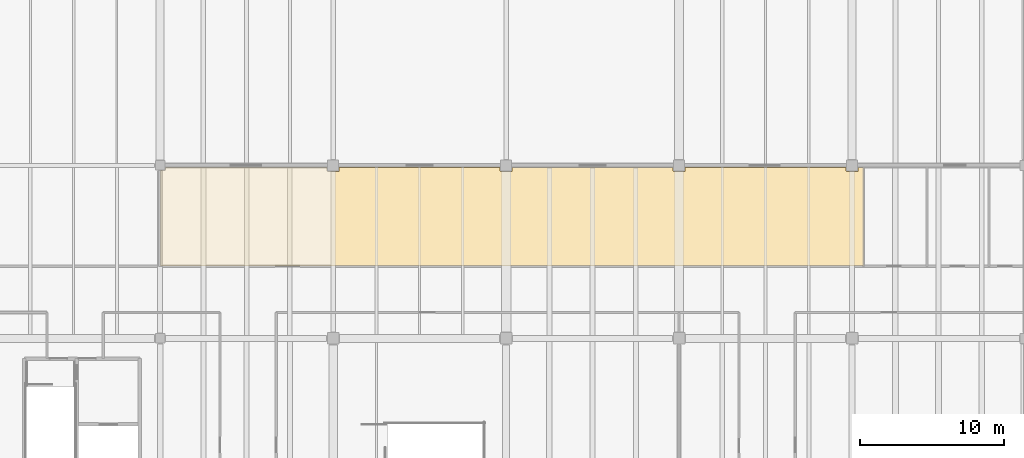
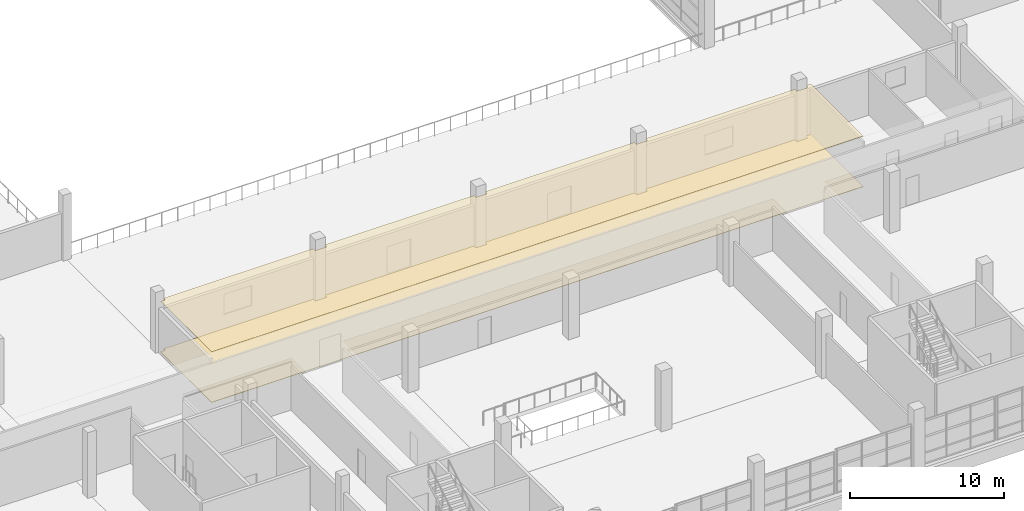
# One storey, part 103 of 112: 2 coverings.
"""IFC4 building model written with IfcOpenShell, lengths in metres."""

from ifc_helpers import new_model, si_unit, direction, frame, origin, place, context, subcontext, project, spatial, polyline, outline, extrude, material, layer, layer_set, type_object, element, save


model = new_model("IFC4")

# Units and contexts
model_context = context("Model", 3, precision=1e-05, world=origin(), true_north=direction((0.0, 1.0)))
body_context = subcontext(model_context, "Body", "Model", "MODEL_VIEW")
ifc_project = project(units=[si_unit("LENGTHUNIT", "METRE"), si_unit("AREAUNIT", "SQUARE_METRE"), si_unit("VOLUMEUNIT", "CUBIC_METRE"), si_unit("PLANEANGLEUNIT", "RADIAN"), si_unit("MASSUNIT", "GRAM", prefix="KILO")], contexts=[model_context])

# Site, building, storey
site_placement = place(None, origin())
site = spatial("IfcSite", under=ifc_project, at=site_placement, CompositionType="ELEMENT")
building_placement = place(site_placement, origin())
building = spatial("IfcBuilding", under=site, at=building_placement, Name="Kamomehara Wholesale Market", CompositionType="ELEMENT")
storey_placement = place(building_placement, frame((0.0, 0.0, 6.60009765625)))
storey = spatial("IfcBuildingStorey", under=building, at=storey_placement, Name="L01", CompositionType="ELEMENT", Elevation=6.60009765625)

# Coverings
ifc_material_1 = material(Name="Acoustic mineral ceiling tile")
ifc_layer_1 = layer(ifc_material_1, 0.034912109375)
ifc_layer_set_1 = layer_set([ifc_layer_1], Name="Acoustic mineral ceiling tile")
covering_type_1 = type_object("IfcCoveringType", Name="COV-CEIL-02", PredefinedType="CEILING", material=ifc_layer_set_1)
covering_1_placement = place(storey_placement, frame((0.0, 0.0, 4.0)))
element("IfcCovering", 1, at=covering_1_placement, inside=storey, type_object=covering_type_1, Name="Acoustic ceiling L01-20", PredefinedType="CEILING", context=body_context, shape_type="SweptSolid", body=[
    extrude(outline(polyline([(131.615966796875, 47.5859375), (131.616943359375, 47.5859375), (131.618896484375, 47.5859375), (131.6201171875, 47.5849609375), (131.62109375, 47.5849609375), (131.6220703125, 47.5849609375), (132.3779296875, 47.5849609375), (132.37890625, 47.5849609375), (132.3798828125, 47.5849609375), (132.381103515625, 47.5859375), (132.383056640625, 47.5859375), (132.384033203125, 47.5859375), (132.385009765625, 47.5859375), (132.385986328125, 47.5859375), (132.386962890625, 47.5859375), (132.387939453125, 47.5869140625), (132.387939453125, 47.5869140625), (132.389892578125, 47.587890625), (132.39208984375, 47.589111328125), (132.39306640625, 47.590087890625), (132.39501953125, 47.591064453125), (132.39599609375, 47.591064453125), (132.39697265625, 47.591064453125), (132.39794921875, 47.592041015625), (132.39794921875, 47.592041015625), (132.39892578125, 47.593017578125), (132.40087890625, 47.594970703125), (132.403076171875, 47.596923828125), (132.405029296875, 47.59912109375), (132.406982421875, 47.60107421875), (132.407958984375, 47.60205078125), (132.407958984375, 47.60205078125), (132.408935546875, 47.60302734375), (132.408935546875, 47.60400390625), (132.408935546875, 47.60498046875), (132.409912109375, 47.60693359375), (132.410888671875, 47.60791015625), (132.412109375, 47.610107421875), (132.4130859375, 47.612060546875), (132.4130859375, 47.612060546875), (132.4140625, 47.613037109375), (132.4140625, 47.614013671875), (132.4140625, 47.614990234375), (132.4140625, 47.615966796875), (132.4140625, 47.616943359375), (132.4140625, 47.618896484375), (132.4150390625, 47.6201171875), (132.4150390625, 47.62109375), (132.4150390625, 47.6220703125), (132.4150390625, 47.840087890625), (143.5849609375, 47.840087890625), (143.5849609375, 47.6220703125), (143.5849609375, 47.62109375), (143.5849609375, 47.6201171875), (143.5859375, 47.618896484375), (143.5859375, 47.616943359375), (143.5859375, 47.615966796875), (143.5859375, 47.614990234375), (143.5859375, 47.614013671875), (143.5859375, 47.613037109375), (143.5869140625, 47.612060546875), (143.5869140625, 47.612060546875), (143.587890625, 47.610107421875), (143.589111328125, 47.60791015625), (143.590087890625, 47.60693359375), (143.591064453125, 47.60498046875), (143.591064453125, 47.60400390625), (143.591064453125, 47.60302734375), (143.592041015625, 47.60205078125), (143.592041015625, 47.60205078125), (143.593017578125, 47.60107421875), (143.594970703125, 47.59912109375), (143.596923828125, 47.596923828125), (143.59912109375, 47.594970703125), (143.60107421875, 47.593017578125), (143.60205078125, 47.592041015625), (143.60205078125, 47.592041015625), (143.60302734375, 47.591064453125), (143.60400390625, 47.591064453125), (143.60498046875, 47.591064453125), (143.60693359375, 47.590087890625), (143.60791015625, 47.589111328125), (143.610107421875, 47.587890625), (143.612060546875, 47.5869140625), (143.612060546875, 47.5869140625), (143.613037109375, 47.5859375), (143.614013671875, 47.5859375), (143.614990234375, 47.5859375), (143.615966796875, 47.5859375), (143.616943359375, 47.5859375), (143.618896484375, 47.5859375), (143.6201171875, 47.5849609375), (143.62109375, 47.5849609375), (143.6220703125, 47.5849609375), (144.3779296875, 47.5849609375), (144.37890625, 47.5849609375), (144.3798828125, 47.5849609375), (144.381103515625, 47.5859375), (144.383056640625, 47.5859375), (144.384033203125, 47.5859375), (144.385009765625, 47.5859375), (144.385986328125, 47.5859375), (144.386962890625, 47.5859375), (144.387939453125, 47.5869140625), (144.387939453125, 47.5869140625), (144.389892578125, 47.587890625), (144.39208984375, 47.589111328125), (144.39306640625, 47.590087890625), (144.39501953125, 47.591064453125), (144.39599609375, 47.591064453125), (144.39697265625, 47.591064453125), (144.39794921875, 47.592041015625), (144.39794921875, 47.592041015625), (144.39892578125, 47.593017578125), (144.40087890625, 47.594970703125), (144.403076171875, 47.596923828125), (144.405029296875, 47.59912109375), (144.406982421875, 47.60107421875), (144.407958984375, 47.60205078125), (144.407958984375, 47.60205078125), (144.408935546875, 47.60302734375), (144.408935546875, 47.60400390625), (144.408935546875, 47.60498046875), (144.409912109375, 47.60693359375), (144.410888671875, 47.60791015625), (144.412109375, 47.610107421875), (144.4130859375, 47.612060546875), (144.4130859375, 47.612060546875), (144.4140625, 47.613037109375), (144.4140625, 47.614013671875), (144.4140625, 47.614990234375), (144.4140625, 47.615966796875), (144.4140625, 47.616943359375), (144.4140625, 47.618896484375), (144.4150390625, 47.6201171875), (144.4150390625, 47.62109375), (144.4150390625, 47.6220703125), (144.4150390625, 47.840087890625), (155.5849609375, 47.840087890625), (155.5849609375, 47.6220703125), (155.5849609375, 47.62109375), (155.5849609375, 47.6201171875), (155.5859375, 47.618896484375), (155.5859375, 47.616943359375), (155.5859375, 47.615966796875), (155.5859375, 47.614990234375), (155.5859375, 47.614013671875), (155.5859375, 47.613037109375), (155.5869140625, 47.612060546875), (155.5869140625, 47.612060546875), (155.587890625, 47.610107421875), (155.589111328125, 47.60791015625), (155.590087890625, 47.60693359375), (155.591064453125, 47.60498046875), (155.591064453125, 47.60400390625), (155.591064453125, 47.60302734375), (155.592041015625, 47.60205078125), (155.592041015625, 47.60205078125), (155.593017578125, 47.60107421875), (155.594970703125, 47.59912109375), (155.596923828125, 47.596923828125), (155.59912109375, 47.594970703125), (155.60107421875, 47.593017578125), (155.60205078125, 47.592041015625), (155.60205078125, 47.592041015625), (155.60302734375, 47.591064453125), (155.60400390625, 47.591064453125), (155.60498046875, 47.591064453125), (155.60693359375, 47.590087890625), (155.60791015625, 47.589111328125), (155.610107421875, 47.587890625), (155.612060546875, 47.5869140625), (155.612060546875, 47.5869140625), (155.613037109375, 47.5859375), (155.614013671875, 47.5859375), (155.614990234375, 47.5859375), (155.615966796875, 47.5859375), (155.616943359375, 47.5859375), (155.618896484375, 47.5859375), (155.6201171875, 47.5849609375), (155.62109375, 47.5849609375), (155.6220703125, 47.5849609375), (156.3779296875, 47.5849609375), (156.37890625, 47.5849609375), (156.3798828125, 47.5849609375), (156.381103515625, 47.5859375), (156.383056640625, 47.5859375), (156.384033203125, 47.5859375), (156.385009765625, 47.5859375), (156.385986328125, 47.5859375), (156.386962890625, 47.5859375), (156.387939453125, 47.5869140625), (156.387939453125, 47.5869140625), (156.389892578125, 47.587890625), (156.39208984375, 47.589111328125), (156.39306640625, 47.590087890625), (156.39501953125, 47.591064453125), (156.39599609375, 47.591064453125), (156.39697265625, 47.591064453125), (156.39794921875, 47.592041015625), (156.39794921875, 47.592041015625), (156.39892578125, 47.593017578125), (156.40087890625, 47.594970703125), (156.403076171875, 47.596923828125), (156.405029296875, 47.59912109375), (156.406982421875, 47.60107421875), (156.407958984375, 47.60205078125), (156.407958984375, 47.60205078125), (156.408935546875, 47.60302734375), (156.408935546875, 47.60400390625), (156.408935546875, 47.60498046875), (156.409912109375, 47.60693359375), (156.410888671875, 47.60791015625), (156.412109375, 47.610107421875), (156.4130859375, 47.612060546875), (156.4130859375, 47.612060546875), (156.4140625, 47.613037109375), (156.4140625, 47.614013671875), (156.4140625, 47.614990234375), (156.4140625, 47.615966796875), (156.4140625, 47.616943359375), (156.4140625, 47.618896484375), (156.4150390625, 47.6201171875), (156.4150390625, 47.62109375), (156.4150390625, 47.6220703125), (156.4150390625, 47.840087890625), (156.7900390625, 47.840087890625), (156.7900390625, 41.030029296875), (108.030029296875, 41.030029296875), (108.030029296875, 47.635009765625), (108.327880859375, 47.635009765625), (108.3291015625, 47.635009765625), (108.330078125, 47.635009765625), (108.3310546875, 47.635986328125), (108.3330078125, 47.635986328125), (108.333984375, 47.635986328125), (108.3349609375, 47.635986328125), (108.3359375, 47.635986328125), (108.3369140625, 47.635986328125), (108.337890625, 47.636962890625), (108.337890625, 47.636962890625), (108.340087890625, 47.637939453125), (108.342041015625, 47.638916015625), (108.343017578125, 47.639892578125), (108.344970703125, 47.64111328125), (108.345947265625, 47.64111328125), (108.346923828125, 47.64111328125), (108.347900390625, 47.64208984375), (108.347900390625, 47.64208984375), (108.34912109375, 47.64306640625), (108.35107421875, 47.64501953125), (108.35302734375, 47.64697265625), (108.35498046875, 47.64892578125), (108.35693359375, 47.65087890625), (108.35791015625, 47.652099609375), (108.35791015625, 47.652099609375), (108.35888671875, 47.653076171875), (108.35888671875, 47.654052734375), (108.35888671875, 47.655029296875), (108.360107421875, 47.656982421875), (108.361083984375, 47.657958984375), (108.362060546875, 47.659912109375), (108.363037109375, 47.662109375), (108.363037109375, 47.662109375), (108.364013671875, 47.6630859375), (108.364013671875, 47.6640625), (108.364013671875, 47.6650390625), (108.364013671875, 47.666015625), (108.364013671875, 47.6669921875), (108.364013671875, 47.6689453125), (108.364990234375, 47.669921875), (108.364990234375, 47.6708984375), (108.364990234375, 47.672119140625), (108.364990234375, 47.840087890625), (119.5849609375, 47.840087890625), (119.5849609375, 47.6220703125), (119.5849609375, 47.62109375), (119.5849609375, 47.6201171875), (119.5859375, 47.618896484375), (119.5859375, 47.616943359375), (119.5859375, 47.615966796875), (119.5859375, 47.614990234375), (119.5859375, 47.614013671875), (119.5859375, 47.613037109375), (119.5869140625, 47.612060546875), (119.5869140625, 47.612060546875), (119.587890625, 47.610107421875), (119.589111328125, 47.60791015625), (119.590087890625, 47.60693359375), (119.591064453125, 47.60498046875), (119.591064453125, 47.60400390625), (119.591064453125, 47.60302734375), (119.592041015625, 47.60205078125), (119.592041015625, 47.60205078125), (119.593017578125, 47.60107421875), (119.594970703125, 47.59912109375), (119.59912109375, 47.594970703125), (119.60107421875, 47.593017578125), (119.60205078125, 47.592041015625), (119.60205078125, 47.592041015625), (119.60302734375, 47.591064453125), (119.60400390625, 47.591064453125), (119.60498046875, 47.591064453125), (119.60693359375, 47.590087890625), (119.60791015625, 47.589111328125), (119.610107421875, 47.587890625), (119.612060546875, 47.5869140625), (119.612060546875, 47.5869140625), (119.613037109375, 47.5859375), (119.614013671875, 47.5859375), (119.614990234375, 47.5859375), (119.615966796875, 47.5859375), (119.616943359375, 47.5859375), (119.618896484375, 47.5859375), (119.6201171875, 47.5849609375), (119.62109375, 47.5849609375), (119.6220703125, 47.5849609375), (120.3779296875, 47.5849609375), (120.37890625, 47.5849609375), (120.3798828125, 47.5849609375), (120.381103515625, 47.5859375), (120.383056640625, 47.5859375), (120.384033203125, 47.5859375), (120.385009765625, 47.5859375), (120.385986328125, 47.5859375), (120.386962890625, 47.5859375), (120.387939453125, 47.5869140625), (120.387939453125, 47.5869140625), (120.389892578125, 47.587890625), (120.39208984375, 47.589111328125), (120.39306640625, 47.590087890625), (120.39501953125, 47.591064453125), (120.39599609375, 47.591064453125), (120.39697265625, 47.591064453125), (120.39794921875, 47.592041015625), (120.39794921875, 47.592041015625), (120.39892578125, 47.593017578125), (120.40087890625, 47.594970703125), (120.405029296875, 47.59912109375), (120.406982421875, 47.60107421875), (120.407958984375, 47.60205078125), (120.407958984375, 47.60205078125), (120.408935546875, 47.60302734375), (120.408935546875, 47.60400390625), (120.408935546875, 47.60498046875), (120.409912109375, 47.60693359375), (120.410888671875, 47.60791015625), (120.412109375, 47.610107421875), (120.4130859375, 47.612060546875), (120.4130859375, 47.612060546875), (120.4140625, 47.613037109375), (120.4140625, 47.614013671875), (120.4140625, 47.614990234375), (120.4140625, 47.615966796875), (120.4140625, 47.616943359375), (120.4140625, 47.618896484375), (120.4150390625, 47.6201171875), (120.4150390625, 47.62109375), (120.4150390625, 47.6220703125), (120.4150390625, 47.840087890625), (131.5849609375, 47.840087890625), (131.5849609375, 47.6220703125), (131.5849609375, 47.62109375), (131.5849609375, 47.6201171875), (131.5859375, 47.618896484375), (131.5859375, 47.616943359375), (131.5859375, 47.615966796875), (131.5859375, 47.614990234375), (131.5859375, 47.614013671875), (131.5859375, 47.613037109375), (131.5869140625, 47.612060546875), (131.5869140625, 47.612060546875), (131.587890625, 47.610107421875), (131.589111328125, 47.60791015625), (131.590087890625, 47.60693359375), (131.591064453125, 47.60498046875), (131.591064453125, 47.60400390625), (131.591064453125, 47.60302734375), (131.592041015625, 47.60205078125), (131.592041015625, 47.60205078125), (131.593017578125, 47.60107421875), (131.594970703125, 47.59912109375), (131.596923828125, 47.596923828125), (131.59912109375, 47.594970703125), (131.60107421875, 47.593017578125), (131.60205078125, 47.592041015625), (131.60205078125, 47.592041015625), (131.60302734375, 47.591064453125), (131.60400390625, 47.591064453125), (131.60498046875, 47.591064453125), (131.60693359375, 47.590087890625), (131.60791015625, 47.589111328125), (131.610107421875, 47.587890625), (131.612060546875, 47.5869140625), (131.612060546875, 47.5869140625), (131.613037109375, 47.5859375), (131.614013671875, 47.5859375), (131.614990234375, 47.5859375), (131.615966796875, 47.5859375)])), origin(), (0.0, 0.0, 1.0), 0.02490234375),
])
ifc_material_2 = material(Name="Heavy-duty resin market flooring")
ifc_layer_2 = layer(ifc_material_2, 0.030029296875)
ifc_layer_set_2 = layer_set([ifc_layer_2], Name="Heavy-duty resin market flooring")
covering_type_2 = type_object("IfcCoveringType", Name="COV-FLR-02", PredefinedType="FLOORING", material=ifc_layer_set_2)
covering_2_placement = place(storey_placement, origin())
element("IfcCovering", 2, at=covering_2_placement, inside=storey, type_object=covering_type_2, Name="Resin flooring L01-20", PredefinedType="FLOORING", context=body_context, shape_type="SweptSolid", body=[
    extrude(outline(polyline([(131.615966796875, 47.5859375), (131.616943359375, 47.5859375), (131.618896484375, 47.5859375), (131.6201171875, 47.5849609375), (131.62109375, 47.5849609375), (131.6220703125, 47.5849609375), (132.3779296875, 47.5849609375), (132.37890625, 47.5849609375), (132.3798828125, 47.5849609375), (132.381103515625, 47.5859375), (132.383056640625, 47.5859375), (132.384033203125, 47.5859375), (132.385009765625, 47.5859375), (132.385986328125, 47.5859375), (132.386962890625, 47.5859375), (132.387939453125, 47.5869140625), (132.387939453125, 47.5869140625), (132.389892578125, 47.587890625), (132.39208984375, 47.589111328125), (132.39306640625, 47.590087890625), (132.39501953125, 47.591064453125), (132.39599609375, 47.591064453125), (132.39697265625, 47.591064453125), (132.39794921875, 47.592041015625), (132.39794921875, 47.592041015625), (132.39892578125, 47.593017578125), (132.40087890625, 47.594970703125), (132.403076171875, 47.596923828125), (132.405029296875, 47.59912109375), (132.406982421875, 47.60107421875), (132.407958984375, 47.60205078125), (132.407958984375, 47.60205078125), (132.408935546875, 47.60302734375), (132.408935546875, 47.60400390625), (132.408935546875, 47.60498046875), (132.409912109375, 47.60693359375), (132.410888671875, 47.60791015625), (132.412109375, 47.610107421875), (132.4130859375, 47.612060546875), (132.4130859375, 47.612060546875), (132.4140625, 47.613037109375), (132.4140625, 47.614013671875), (132.4140625, 47.614990234375), (132.4140625, 47.615966796875), (132.4140625, 47.616943359375), (132.4140625, 47.618896484375), (132.4150390625, 47.6201171875), (132.4150390625, 47.62109375), (132.4150390625, 47.6220703125), (132.4150390625, 47.840087890625), (143.5849609375, 47.840087890625), (143.5849609375, 47.6220703125), (143.5849609375, 47.62109375), (143.5849609375, 47.6201171875), (143.5859375, 47.618896484375), (143.5859375, 47.616943359375), (143.5859375, 47.615966796875), (143.5859375, 47.614990234375), (143.5859375, 47.614013671875), (143.5859375, 47.613037109375), (143.5869140625, 47.612060546875), (143.5869140625, 47.612060546875), (143.587890625, 47.610107421875), (143.589111328125, 47.60791015625), (143.590087890625, 47.60693359375), (143.591064453125, 47.60498046875), (143.591064453125, 47.60400390625), (143.591064453125, 47.60302734375), (143.592041015625, 47.60205078125), (143.592041015625, 47.60205078125), (143.593017578125, 47.60107421875), (143.594970703125, 47.59912109375), (143.596923828125, 47.596923828125), (143.59912109375, 47.594970703125), (143.60107421875, 47.593017578125), (143.60205078125, 47.592041015625), (143.60205078125, 47.592041015625), (143.60302734375, 47.591064453125), (143.60400390625, 47.591064453125), (143.60498046875, 47.591064453125), (143.60693359375, 47.590087890625), (143.60791015625, 47.589111328125), (143.610107421875, 47.587890625), (143.612060546875, 47.5869140625), (143.612060546875, 47.5869140625), (143.613037109375, 47.5859375), (143.614013671875, 47.5859375), (143.614990234375, 47.5859375), (143.615966796875, 47.5859375), (143.616943359375, 47.5859375), (143.618896484375, 47.5859375), (143.6201171875, 47.5849609375), (143.62109375, 47.5849609375), (143.6220703125, 47.5849609375), (144.3779296875, 47.5849609375), (144.37890625, 47.5849609375), (144.3798828125, 47.5849609375), (144.381103515625, 47.5859375), (144.383056640625, 47.5859375), (144.384033203125, 47.5859375), (144.385009765625, 47.5859375), (144.385986328125, 47.5859375), (144.386962890625, 47.5859375), (144.387939453125, 47.5869140625), (144.387939453125, 47.5869140625), (144.389892578125, 47.587890625), (144.39208984375, 47.589111328125), (144.39306640625, 47.590087890625), (144.39501953125, 47.591064453125), (144.39599609375, 47.591064453125), (144.39697265625, 47.591064453125), (144.39794921875, 47.592041015625), (144.39794921875, 47.592041015625), (144.39892578125, 47.593017578125), (144.40087890625, 47.594970703125), (144.403076171875, 47.596923828125), (144.405029296875, 47.59912109375), (144.406982421875, 47.60107421875), (144.407958984375, 47.60205078125), (144.407958984375, 47.60205078125), (144.408935546875, 47.60302734375), (144.408935546875, 47.60400390625), (144.408935546875, 47.60498046875), (144.409912109375, 47.60693359375), (144.410888671875, 47.60791015625), (144.412109375, 47.610107421875), (144.4130859375, 47.612060546875), (144.4130859375, 47.612060546875), (144.4140625, 47.613037109375), (144.4140625, 47.614013671875), (144.4140625, 47.614990234375), (144.4140625, 47.615966796875), (144.4140625, 47.616943359375), (144.4140625, 47.618896484375), (144.4150390625, 47.6201171875), (144.4150390625, 47.62109375), (144.4150390625, 47.6220703125), (144.4150390625, 47.840087890625), (155.5849609375, 47.840087890625), (155.5849609375, 47.6220703125), (155.5849609375, 47.62109375), (155.5849609375, 47.6201171875), (155.5859375, 47.618896484375), (155.5859375, 47.616943359375), (155.5859375, 47.615966796875), (155.5859375, 47.614990234375), (155.5859375, 47.614013671875), (155.5859375, 47.613037109375), (155.5869140625, 47.612060546875), (155.5869140625, 47.612060546875), (155.587890625, 47.610107421875), (155.589111328125, 47.60791015625), (155.590087890625, 47.60693359375), (155.591064453125, 47.60498046875), (155.591064453125, 47.60400390625), (155.591064453125, 47.60302734375), (155.592041015625, 47.60205078125), (155.592041015625, 47.60205078125), (155.593017578125, 47.60107421875), (155.594970703125, 47.59912109375), (155.596923828125, 47.596923828125), (155.59912109375, 47.594970703125), (155.60107421875, 47.593017578125), (155.60205078125, 47.592041015625), (155.60205078125, 47.592041015625), (155.60302734375, 47.591064453125), (155.60400390625, 47.591064453125), (155.60498046875, 47.591064453125), (155.60693359375, 47.590087890625), (155.60791015625, 47.589111328125), (155.610107421875, 47.587890625), (155.612060546875, 47.5869140625), (155.612060546875, 47.5869140625), (155.613037109375, 47.5859375), (155.614013671875, 47.5859375), (155.614990234375, 47.5859375), (155.615966796875, 47.5859375), (155.616943359375, 47.5859375), (155.618896484375, 47.5859375), (155.6201171875, 47.5849609375), (155.62109375, 47.5849609375), (155.6220703125, 47.5849609375), (156.3779296875, 47.5849609375), (156.37890625, 47.5849609375), (156.3798828125, 47.5849609375), (156.381103515625, 47.5859375), (156.383056640625, 47.5859375), (156.384033203125, 47.5859375), (156.385009765625, 47.5859375), (156.385986328125, 47.5859375), (156.386962890625, 47.5859375), (156.387939453125, 47.5869140625), (156.387939453125, 47.5869140625), (156.389892578125, 47.587890625), (156.39208984375, 47.589111328125), (156.39306640625, 47.590087890625), (156.39501953125, 47.591064453125), (156.39599609375, 47.591064453125), (156.39697265625, 47.591064453125), (156.39794921875, 47.592041015625), (156.39794921875, 47.592041015625), (156.39892578125, 47.593017578125), (156.40087890625, 47.594970703125), (156.403076171875, 47.596923828125), (156.405029296875, 47.59912109375), (156.406982421875, 47.60107421875), (156.407958984375, 47.60205078125), (156.407958984375, 47.60205078125), (156.408935546875, 47.60302734375), (156.408935546875, 47.60400390625), (156.408935546875, 47.60498046875), (156.409912109375, 47.60693359375), (156.410888671875, 47.60791015625), (156.412109375, 47.610107421875), (156.4130859375, 47.612060546875), (156.4130859375, 47.612060546875), (156.4140625, 47.613037109375), (156.4140625, 47.614013671875), (156.4140625, 47.614990234375), (156.4140625, 47.615966796875), (156.4140625, 47.616943359375), (156.4140625, 47.618896484375), (156.4150390625, 47.6201171875), (156.4150390625, 47.62109375), (156.4150390625, 47.6220703125), (156.4150390625, 47.840087890625), (156.7900390625, 47.840087890625), (156.7900390625, 41.030029296875), (108.030029296875, 41.030029296875), (108.030029296875, 47.635009765625), (108.327880859375, 47.635009765625), (108.3291015625, 47.635009765625), (108.330078125, 47.635009765625), (108.3310546875, 47.635986328125), (108.3330078125, 47.635986328125), (108.333984375, 47.635986328125), (108.3349609375, 47.635986328125), (108.3359375, 47.635986328125), (108.3369140625, 47.635986328125), (108.337890625, 47.636962890625), (108.337890625, 47.636962890625), (108.340087890625, 47.637939453125), (108.342041015625, 47.638916015625), (108.343017578125, 47.639892578125), (108.344970703125, 47.64111328125), (108.345947265625, 47.64111328125), (108.346923828125, 47.64111328125), (108.347900390625, 47.64208984375), (108.347900390625, 47.64208984375), (108.34912109375, 47.64306640625), (108.35107421875, 47.64501953125), (108.35302734375, 47.64697265625), (108.35498046875, 47.64892578125), (108.35693359375, 47.65087890625), (108.35791015625, 47.652099609375), (108.35791015625, 47.652099609375), (108.35888671875, 47.653076171875), (108.35888671875, 47.654052734375), (108.35888671875, 47.655029296875), (108.360107421875, 47.656982421875), (108.361083984375, 47.657958984375), (108.362060546875, 47.659912109375), (108.363037109375, 47.662109375), (108.363037109375, 47.662109375), (108.364013671875, 47.6630859375), (108.364013671875, 47.6640625), (108.364013671875, 47.6650390625), (108.364013671875, 47.666015625), (108.364013671875, 47.6669921875), (108.364013671875, 47.6689453125), (108.364990234375, 47.669921875), (108.364990234375, 47.6708984375), (108.364990234375, 47.672119140625), (108.364990234375, 47.840087890625), (119.5849609375, 47.840087890625), (119.5849609375, 47.6220703125), (119.5849609375, 47.62109375), (119.5849609375, 47.6201171875), (119.5859375, 47.618896484375), (119.5859375, 47.616943359375), (119.5859375, 47.615966796875), (119.5859375, 47.614990234375), (119.5859375, 47.614013671875), (119.5859375, 47.613037109375), (119.5869140625, 47.612060546875), (119.5869140625, 47.612060546875), (119.587890625, 47.610107421875), (119.589111328125, 47.60791015625), (119.590087890625, 47.60693359375), (119.591064453125, 47.60498046875), (119.591064453125, 47.60400390625), (119.591064453125, 47.60302734375), (119.592041015625, 47.60205078125), (119.592041015625, 47.60205078125), (119.593017578125, 47.60107421875), (119.594970703125, 47.59912109375), (119.59912109375, 47.594970703125), (119.60107421875, 47.593017578125), (119.60205078125, 47.592041015625), (119.60205078125, 47.592041015625), (119.60302734375, 47.591064453125), (119.60400390625, 47.591064453125), (119.60498046875, 47.591064453125), (119.60693359375, 47.590087890625), (119.60791015625, 47.589111328125), (119.610107421875, 47.587890625), (119.612060546875, 47.5869140625), (119.612060546875, 47.5869140625), (119.613037109375, 47.5859375), (119.614013671875, 47.5859375), (119.614990234375, 47.5859375), (119.615966796875, 47.5859375), (119.616943359375, 47.5859375), (119.618896484375, 47.5859375), (119.6201171875, 47.5849609375), (119.62109375, 47.5849609375), (119.6220703125, 47.5849609375), (120.3779296875, 47.5849609375), (120.37890625, 47.5849609375), (120.3798828125, 47.5849609375), (120.381103515625, 47.5859375), (120.383056640625, 47.5859375), (120.384033203125, 47.5859375), (120.385009765625, 47.5859375), (120.385986328125, 47.5859375), (120.386962890625, 47.5859375), (120.387939453125, 47.5869140625), (120.387939453125, 47.5869140625), (120.389892578125, 47.587890625), (120.39208984375, 47.589111328125), (120.39306640625, 47.590087890625), (120.39501953125, 47.591064453125), (120.39599609375, 47.591064453125), (120.39697265625, 47.591064453125), (120.39794921875, 47.592041015625), (120.39794921875, 47.592041015625), (120.39892578125, 47.593017578125), (120.40087890625, 47.594970703125), (120.405029296875, 47.59912109375), (120.406982421875, 47.60107421875), (120.407958984375, 47.60205078125), (120.407958984375, 47.60205078125), (120.408935546875, 47.60302734375), (120.408935546875, 47.60400390625), (120.408935546875, 47.60498046875), (120.409912109375, 47.60693359375), (120.410888671875, 47.60791015625), (120.412109375, 47.610107421875), (120.4130859375, 47.612060546875), (120.4130859375, 47.612060546875), (120.4140625, 47.613037109375), (120.4140625, 47.614013671875), (120.4140625, 47.614990234375), (120.4140625, 47.615966796875), (120.4140625, 47.616943359375), (120.4140625, 47.618896484375), (120.4150390625, 47.6201171875), (120.4150390625, 47.62109375), (120.4150390625, 47.6220703125), (120.4150390625, 47.840087890625), (131.5849609375, 47.840087890625), (131.5849609375, 47.6220703125), (131.5849609375, 47.62109375), (131.5849609375, 47.6201171875), (131.5859375, 47.618896484375), (131.5859375, 47.616943359375), (131.5859375, 47.615966796875), (131.5859375, 47.614990234375), (131.5859375, 47.614013671875), (131.5859375, 47.613037109375), (131.5869140625, 47.612060546875), (131.5869140625, 47.612060546875), (131.587890625, 47.610107421875), (131.589111328125, 47.60791015625), (131.590087890625, 47.60693359375), (131.591064453125, 47.60498046875), (131.591064453125, 47.60400390625), (131.591064453125, 47.60302734375), (131.592041015625, 47.60205078125), (131.592041015625, 47.60205078125), (131.593017578125, 47.60107421875), (131.594970703125, 47.59912109375), (131.596923828125, 47.596923828125), (131.59912109375, 47.594970703125), (131.60107421875, 47.593017578125), (131.60205078125, 47.592041015625), (131.60205078125, 47.592041015625), (131.60302734375, 47.591064453125), (131.60400390625, 47.591064453125), (131.60498046875, 47.591064453125), (131.60693359375, 47.590087890625), (131.60791015625, 47.589111328125), (131.610107421875, 47.587890625), (131.612060546875, 47.5869140625), (131.612060546875, 47.5869140625), (131.613037109375, 47.5859375), (131.614013671875, 47.5859375), (131.614990234375, 47.5859375), (131.615966796875, 47.5859375)])), origin(), (0.0, 0.0, 1.0), 0.02978515625),
])

save(model, "model.ifc")
